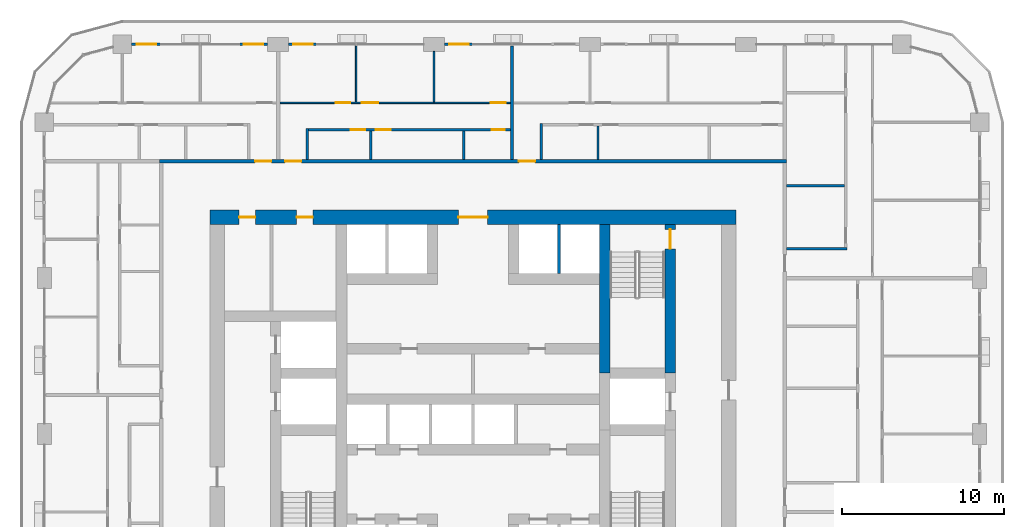
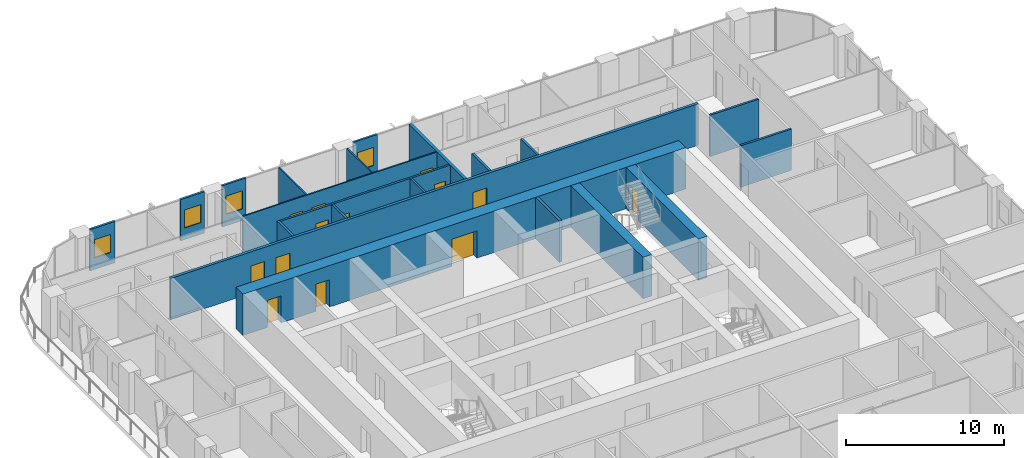
# One storey, part 14 of 22: 21 walls, 13 doors, 4 windows, 17 openings.
"""IFC4 building model written with IfcOpenShell, lengths in metres."""

from ifc_helpers import new_model, si_unit, direction, frame, frame_2d, origin, place, context, subcontext, project, spatial, rectangle, extrude, material, layer, layer_set, type_object, element, fill, save


model = new_model("IFC4")

# Units and contexts
model_context = context("Model", 3, precision=1e-05, world=origin(), true_north=direction((0.0, 1.0)))
body_context = subcontext(model_context, "Body", "Model", "MODEL_VIEW")
ifc_project = project(units=[si_unit("LENGTHUNIT", "METRE"), si_unit("AREAUNIT", "SQUARE_METRE"), si_unit("VOLUMEUNIT", "CUBIC_METRE"), si_unit("PLANEANGLEUNIT", "RADIAN"), si_unit("MASSUNIT", "GRAM", prefix="KILO")], contexts=[model_context])

# Site, building, storey
site_placement = place(None, origin())
site = spatial("IfcSite", under=ifc_project, at=site_placement, CompositionType="ELEMENT")
building_placement = place(site_placement, origin())
building = spatial("IfcBuilding", under=site, at=building_placement, Name="Madar Terraces", CompositionType="ELEMENT")
storey_placement = place(building_placement, frame((0.0, 0.0, 73.300048828125)))
storey = spatial("IfcBuildingStorey", under=building, at=storey_placement, Name="L18", CompositionType="ELEMENT", Elevation=73.300048828125)

# Wall
ifc_material_1 = material(Name="Concrete C80/95", Category="concrete")
ifc_layer_1 = layer(ifc_material_1, 0.64990234375)
ifc_layer_set_1 = layer_set([ifc_layer_1], Name="Concrete C80/95 (CIW2 RC wall 650)")
wall_type_1 = type_object("IfcWallType", Name="CIW2 RC wall 650", PredefinedType="SHEAR", material=ifc_layer_set_1)
wall_1_placement = place(storey_placement, frame((39.300048828125, 27.75, 0.0), z_axis=(0.0, 0.0, 1.0), x_axis=(0.0, 1.0, 0.0)))
element("IfcWall", 1, at=wall_1_placement, inside=storey, type_object=wall_type_1, Name="CORE SHAFT WALL", PredefinedType="SHEAR", context=body_context, shape_type="SweptSolid", body=[
    extrude(rectangle(XDim=9.14990234375, YDim=0.64990234375, at=frame_2d((4.574951171875, 0.0))), origin(), (0.0, 0.0, 1.0), 3.199951171875),
])

# Wall, opening, door
wall_2_placement = place(storey_placement, frame((43.35009765625, 27.75, 0.0), z_axis=(0.0, 0.0, 1.0), x_axis=(0.0, 1.0, 0.0)))
wall_2 = element("IfcWall", 2, at=wall_2_placement, inside=storey, type_object=wall_type_1, Name="CORE SHAFT WALL", PredefinedType="SHEAR", context=body_context, shape_type="SweptSolid", body=[
    extrude(rectangle(XDim=9.14990234375, YDim=0.64990234375, at=frame_2d((4.574951171875, 0.0))), origin(), (0.0, 0.0, 1.0), 3.199951171875),
])
opening_1_placement = place(wall_2_placement, frame((7.64990234375, 0.0, 0.0)))
opening_1 = element("IfcOpeningElement", 3, at=opening_1_placement, cuts=wall_2, Name="Opening SD1", PredefinedType="OPENING", context=body_context, shape_type="SweptSolid", body=[
    extrude(rectangle(XDim=1.199951171875, YDim=2.10009765625, at=frame_2d((0.60009765625, 1.050048828125))), frame((0.0, 0.3349609375, 0.0), z_axis=(0.0, -1.0, 0.0), x_axis=(1.0, 0.0, 0.0)), (0.0, 0.0, 1.0), 0.669921875),
])
ifc_material_2 = material(Name="Steel door leaf", Category="steel")
door_type_1 = type_object("IfcDoorType", Name="Stair door 1200 x 2100", OperationType="NOTDEFINED", PredefinedType="DOOR", material=ifc_material_2)
door_1_placement = place(opening_1_placement, origin())
door_1 = element("IfcDoor", 4, at=door_1_placement, inside=storey, type_object=door_type_1, Name="STAIR DOOR", OperationType="SINGLE_SWING_RIGHT", OverallHeight=2.10009765625, OverallWidth=1.199951171875, PredefinedType="DOOR", context=body_context, shape_type="SweptSolid", body=[
    extrude(rectangle(XDim=1.199951171875, YDim=2.10009765625, at=frame_2d((0.60009765625, 1.050048828125))), frame((0.0, 0.02490234375, 0.0), z_axis=(0.0, -1.0, 0.0), x_axis=(1.0, 0.0, 0.0)), (0.0, 0.0, 1.0), 0.050048828125),
])
fill(opening_1, door_1)

# Wall, openings, doors
ifc_material_3 = material(Name="Concrete C80/95", Category="concrete")
ifc_layer_2 = layer(ifc_material_3, 0.89990234375)
ifc_layer_set_2 = layer_set([ifc_layer_2], Name="Concrete C80/95 (CRW2 RC wall 900)")
wall_type_2 = type_object("IfcWallType", Name="CRW2 RC wall 900", PredefinedType="SHEAR", material=ifc_layer_set_2)
wall_3_placement = place(storey_placement, frame((15.0, 37.35009765625, 0.0), z_axis=(0.0, 0.0, 1.0), x_axis=(1.0, 0.0, 0.0)))
wall_3 = element("IfcWall", 5, at=wall_3_placement, inside=storey, type_object=wall_type_2, Name="CORE OUTER WALL", PredefinedType="SHEAR", context=body_context, shape_type="SweptSolid", body=[
    extrude(rectangle(XDim=32.39990234375, YDim=0.89990234375, at=frame_2d((16.199951171875, 0.0))), origin(), (0.0, 0.0, 1.0), 3.199951171875),
])
opening_2_placement = place(wall_3_placement, frame((15.300048828125, 0.0, 0.0)))
opening_2 = element("IfcOpeningElement", 6, at=opening_2_placement, cuts=wall_3, Name="Opening KD1", PredefinedType="OPENING", context=body_context, shape_type="SweptSolid", body=[
    extrude(rectangle(XDim=1.800048828125, YDim=2.10009765625, at=frame_2d((0.89990234375, 1.050048828125))), frame((0.0, 0.4599609375, 0.0), z_axis=(0.0, -1.0, 0.0), x_axis=(1.0, 0.0, 0.0)), (0.0, 0.0, 1.0), 0.919921875),
])
opening_3_placement = place(wall_3_placement, frame((1.793701171875, 0.0, 0.0)))
opening_3 = element("IfcOpeningElement", 7, at=opening_3_placement, cuts=wall_3, Name="Opening KD2", PredefinedType="OPENING", context=body_context, shape_type="SweptSolid", body=[
    extrude(rectangle(XDim=1.0, YDim=2.10009765625, at=frame_2d((0.5, 1.050048828125))), frame((0.0, 0.4599609375, 0.0), z_axis=(0.0, -1.0, 0.0), x_axis=(1.0, 0.0, 0.0)), (0.0, 0.0, 1.0), 0.919921875),
])
opening_4_placement = place(wall_3_placement, frame((5.331298828125, 0.0, 0.0)))
opening_4 = element("IfcOpeningElement", 8, at=opening_4_placement, cuts=wall_3, Name="Opening KD2", PredefinedType="OPENING", context=body_context, shape_type="SweptSolid", body=[
    extrude(rectangle(XDim=1.0, YDim=2.10009765625, at=frame_2d((0.5, 1.050048828125))), frame((0.0, 0.4599609375, 0.0), z_axis=(0.0, -1.0, 0.0), x_axis=(1.0, 0.0, 0.0)), (0.0, 0.0, 1.0), 0.919921875),
])
ifc_material_4 = material(Name="Steel door leaf", Category="steel")
door_type_2 = type_object("IfcDoorType", Name="Lobby door pair 1800 x 2100", OperationType="DOUBLE_DOOR_SINGLE_SWING", PredefinedType="DOOR", material=ifc_material_4)
door_2_placement = place(opening_2_placement, origin())
door_2 = element("IfcDoor", 9, at=door_2_placement, inside=storey, type_object=door_type_2, Name="LIFT LOBBY DOOR", OperationType="DOUBLE_DOOR_SINGLE_SWING", OverallHeight=2.10009765625, OverallWidth=1.800048828125, PredefinedType="DOOR", context=body_context, shape_type="SweptSolid", body=[
    extrude(rectangle(XDim=1.800048828125, YDim=2.10009765625, at=frame_2d((0.89990234375, 1.050048828125))), frame((0.0, 0.02490234375, 0.0), z_axis=(0.0, -1.0, 0.0), x_axis=(1.0, 0.0, 0.0)), (0.0, 0.0, 1.0), 0.050048828125),
])
fill(opening_2, door_2)
ifc_material_5 = material(Name="Steel door leaf", Category="steel")
door_type_3 = type_object("IfcDoorType", Name="Service room door 1000 x 2100", OperationType="NOTDEFINED", PredefinedType="DOOR", material=ifc_material_5)
door_3_placement = place(opening_3_placement, origin())
door_3 = element("IfcDoor", 10, at=door_3_placement, inside=storey, type_object=door_type_3, Name="SERVICE ROOM DOOR", OperationType="SINGLE_SWING_LEFT", OverallHeight=2.10009765625, OverallWidth=1.0, PredefinedType="DOOR", context=body_context, shape_type="SweptSolid", body=[
    extrude(rectangle(XDim=1.0, YDim=2.10009765625, at=frame_2d((0.5, 1.050048828125))), frame((0.0, 0.02490234375, 0.0), z_axis=(0.0, -1.0, 0.0), x_axis=(1.0, 0.0, 0.0)), (0.0, 0.0, 1.0), 0.050048828125),
])
fill(opening_3, door_3)
door_4_placement = place(opening_4_placement, origin())
door_4 = element("IfcDoor", 11, at=door_4_placement, inside=storey, type_object=door_type_3, Name="SERVICE ROOM DOOR", OperationType="SINGLE_SWING_RIGHT", OverallHeight=2.10009765625, OverallWidth=1.0, PredefinedType="DOOR", context=body_context, shape_type="SweptSolid", body=[
    extrude(rectangle(XDim=1.0, YDim=2.10009765625, at=frame_2d((0.5, 1.050048828125))), frame((0.0, 0.02490234375, 0.0), z_axis=(0.0, -1.0, 0.0), x_axis=(1.0, 0.0, 0.0)), (0.0, 0.0, 1.0), 0.050048828125),
])
fill(opening_4, door_4)

# Wall
ifc_material_6 = material(Name="Concrete C40/50", Category="concrete")
ifc_layer_3 = layer(ifc_material_6, 0.199951171875)
ifc_layer_set_3 = layer_set([ifc_layer_3], Name="Core shaft dividing wall 200 C40/50")
wall_type_3 = type_object("IfcWallType", Name="Core shaft dividing wall 200 C40/50", PredefinedType="SOLIDWALL", material=ifc_layer_set_3)
wall_4_placement = place(storey_placement, frame((36.5, 33.875, 0.0), z_axis=(0.0, 0.0, 1.0), x_axis=(0.0, 1.0, 0.0)))
element("IfcWall", 12, at=wall_4_placement, inside=storey, type_object=wall_type_3, Name="SHAFT DIVIDING WALL", PredefinedType="SOLIDWALL", context=body_context, shape_type="SweptSolid", body=[
    extrude(rectangle(XDim=3.02490234375, YDim=0.199951171875, at=frame_2d((1.512451171875, 0.0))), origin(), (0.0, 0.0, 1.0), 3.199951171875),
])

# Wall, opening, window
ifc_material_7 = material(Name="Aluminium composite panel, black, over insulated backing", Category="aluminium")
ifc_layer_4 = layer(ifc_material_7, 0.14990234375)
ifc_layer_set_4 = layer_set([ifc_layer_4], Name="Facade bay panel 150")
wall_type_4 = type_object("IfcWallType", Name="Facade bay panel 150", PredefinedType="SOLIDWALL", material=ifc_layer_set_4)
wall_5_placement = place(storey_placement, frame((31.199951171875, 48.0, 0.0), z_axis=(0.0, 0.0, 1.0), x_axis=(-1.0, 0.0, 0.0)))
wall_5 = element("IfcWall", 13, at=wall_5_placement, inside=storey, type_object=wall_type_4, Name="Facade bay panel", PredefinedType="SOLIDWALL", context=body_context, shape_type="SweptSolid", body=[
    extrude(rectangle(XDim=1.75, YDim=0.14990234375, at=frame_2d((0.875, 0.0))), origin(), (0.0, 0.0, 1.0), 3.199951171875),
])
opening_5_placement = place(wall_5_placement, frame((0.27490234375, 0.0, 0.89990234375)))
opening_5 = element("IfcOpeningElement", 14, at=opening_5_placement, cuts=wall_5, Name="Opening W1", PredefinedType="OPENING", context=body_context, shape_type="SweptSolid", body=[
    extrude(rectangle(XDim=1.199951171875, YDim=1.39990234375, at=frame_2d((0.60009765625, 0.699951171875))), frame((0.0, 0.0849609375, 0.0), z_axis=(0.0, -1.0, 0.0), x_axis=(1.0, 0.0, 0.0)), (0.0, 0.0, 1.0), 0.169921875),
])
ifc_material_8 = material(Name="Glass, clear, with black aluminium frame", Category="aluminium")
window_type = type_object("IfcWindowType", Name="Vent window 1200 x 1400", PartitioningType="SINGLE_PANEL", PredefinedType="WINDOW", material=ifc_material_8)
window_1_placement = place(opening_5_placement, origin())
window_1 = element("IfcWindow", 15, at=window_1_placement, inside=storey, type_object=window_type, Name="Operable vent window", OverallHeight=1.39990234375, OverallWidth=1.199951171875, PartitioningType="SINGLE_PANEL", PredefinedType="WINDOW", context=body_context, shape_type="SweptSolid", body=[
    extrude(rectangle(XDim=1.199951171875, YDim=1.39990234375, at=frame_2d((0.60009765625, 0.699951171875))), frame((0.0, 0.030029296875, 0.0), z_axis=(0.0, -1.0, 0.0), x_axis=(1.0, 0.0, 0.0)), (0.0, 0.0, 1.0), 0.06005859375),
])
fill(opening_5, window_1)

wall_6_placement = place(storey_placement, frame((21.60009765625, 48.0, 0.0), z_axis=(0.0, 0.0, 1.0), x_axis=(-1.0, 0.0, 0.0)))
wall_6 = element("IfcWall", 16, at=wall_6_placement, inside=storey, type_object=wall_type_4, Name="Facade bay panel", PredefinedType="SOLIDWALL", context=body_context, shape_type="SweptSolid", body=[
    extrude(rectangle(XDim=1.75, YDim=0.14990234375, at=frame_2d((0.875, 0.0))), origin(), (0.0, 0.0, 1.0), 3.199951171875),
])
opening_6_placement = place(wall_6_placement, frame((0.27490234375, 0.0, 0.89990234375)))
opening_6 = element("IfcOpeningElement", 17, at=opening_6_placement, cuts=wall_6, Name="Opening W1", PredefinedType="OPENING", context=body_context, shape_type="SweptSolid", body=[
    extrude(rectangle(XDim=1.199951171875, YDim=1.39990234375, at=frame_2d((0.60009765625, 0.699951171875))), frame((0.0, 0.0849609375, 0.0), z_axis=(0.0, -1.0, 0.0), x_axis=(1.0, 0.0, 0.0)), (0.0, 0.0, 1.0), 0.169921875),
])
window_2_placement = place(opening_6_placement, origin())
window_2 = element("IfcWindow", 18, at=window_2_placement, inside=storey, type_object=window_type, Name="Operable vent window", OverallHeight=1.39990234375, OverallWidth=1.199951171875, PartitioningType="SINGLE_PANEL", PredefinedType="WINDOW", context=body_context, shape_type="SweptSolid", body=[
    extrude(rectangle(XDim=1.199951171875, YDim=1.39990234375, at=frame_2d((0.60009765625, 0.699951171875))), frame((0.0, 0.030029296875, 0.0), z_axis=(0.0, -1.0, 0.0), x_axis=(1.0, 0.0, 0.0)), (0.0, 0.0, 1.0), 0.06005859375),
])
fill(opening_6, window_2)

wall_7_placement = place(storey_placement, frame((18.550048828125, 48.0, 0.0), z_axis=(0.0, 0.0, 1.0), x_axis=(-1.0, 0.0, 0.0)))
wall_7 = element("IfcWall", 19, at=wall_7_placement, inside=storey, type_object=wall_type_4, Name="Facade bay panel", PredefinedType="SOLIDWALL", context=body_context, shape_type="SweptSolid", body=[
    extrude(rectangle(XDim=1.75, YDim=0.14990234375, at=frame_2d((0.875, 0.0))), origin(), (0.0, 0.0, 1.0), 3.199951171875),
])
opening_7_placement = place(wall_7_placement, frame((0.27490234375, 0.0, 0.89990234375)))
opening_7 = element("IfcOpeningElement", 20, at=opening_7_placement, cuts=wall_7, Name="Opening W1", PredefinedType="OPENING", context=body_context, shape_type="SweptSolid", body=[
    extrude(rectangle(XDim=1.199951171875, YDim=1.39990234375, at=frame_2d((0.60009765625, 0.699951171875))), frame((0.0, 0.0849609375, 0.0), z_axis=(0.0, -1.0, 0.0), x_axis=(1.0, 0.0, 0.0)), (0.0, 0.0, 1.0), 0.169921875),
])
window_3_placement = place(opening_7_placement, origin())
window_3 = element("IfcWindow", 21, at=window_3_placement, inside=storey, type_object=window_type, Name="Operable vent window", OverallHeight=1.39990234375, OverallWidth=1.199951171875, PartitioningType="SINGLE_PANEL", PredefinedType="WINDOW", context=body_context, shape_type="SweptSolid", body=[
    extrude(rectangle(XDim=1.199951171875, YDim=1.39990234375, at=frame_2d((0.60009765625, 0.699951171875))), frame((0.0, 0.030029296875, 0.0), z_axis=(0.0, -1.0, 0.0), x_axis=(1.0, 0.0, 0.0)), (0.0, 0.0, 1.0), 0.06005859375),
])
fill(opening_7, window_3)

wall_8_placement = place(storey_placement, frame((12.0, 48.0, 0.0), z_axis=(0.0, 0.0, 1.0), x_axis=(-1.0, 0.0, 0.0)))
wall_8 = element("IfcWall", 22, at=wall_8_placement, inside=storey, type_object=wall_type_4, Name="Facade bay panel", PredefinedType="SOLIDWALL", context=body_context, shape_type="SweptSolid", body=[
    extrude(rectangle(XDim=1.824951171875, YDim=0.14990234375, at=frame_2d((0.91259765625, 0.0))), origin(), (0.0, 0.0, 1.0), 3.199951171875),
])
opening_8_placement = place(wall_8_placement, frame((0.3125, 0.0, 0.89990234375)))
opening_8 = element("IfcOpeningElement", 23, at=opening_8_placement, cuts=wall_8, Name="Opening W1", PredefinedType="OPENING", context=body_context, shape_type="SweptSolid", body=[
    extrude(rectangle(XDim=1.199951171875, YDim=1.39990234375, at=frame_2d((0.60009765625, 0.699951171875))), frame((0.0, 0.0849609375, 0.0), z_axis=(0.0, -1.0, 0.0), x_axis=(1.0, 0.0, 0.0)), (0.0, 0.0, 1.0), 0.169921875),
])
window_4_placement = place(opening_8_placement, origin())
window_4 = element("IfcWindow", 24, at=window_4_placement, inside=storey, type_object=window_type, Name="Operable vent window", OverallHeight=1.39990234375, OverallWidth=1.199951171875, PartitioningType="SINGLE_PANEL", PredefinedType="WINDOW", context=body_context, shape_type="SweptSolid", body=[
    extrude(rectangle(XDim=1.199951171875, YDim=1.39990234375, at=frame_2d((0.60009765625, 0.699951171875))), frame((0.0, 0.030029296875, 0.0), z_axis=(0.0, -1.0, 0.0), x_axis=(1.0, 0.0, 0.0)), (0.0, 0.0, 1.0), 0.06005859375),
])
fill(opening_8, window_4)

# Walls
ifc_material_9 = material(Name="Gypsum board on steel studs", Category="steel")
ifc_layer_5 = layer(ifc_material_9, 0.10009765625)
ifc_layer_set_5 = layer_set([ifc_layer_5], Name="Flat partition 100")
wall_type_5 = type_object("IfcWallType", Name="Flat partition 100", PredefinedType="PARTITIONING", material=ifc_layer_set_5)
wall_9_placement = place(storey_placement, frame((24.0, 44.449951171875, 0.0), z_axis=(0.0, 0.0, 1.0), x_axis=(0.0, 1.0, 0.0)))
element("IfcWall", 25, at=wall_9_placement, inside=storey, type_object=wall_type_5, Name="Flat partition 100", PredefinedType="PARTITIONING", context=body_context, shape_type="SweptSolid", body=[
    extrude(rectangle(XDim=3.449951171875, YDim=0.10009765625, at=frame_2d((1.72509765625, 0.0))), origin(), (0.0, 0.0, 1.0), 3.199951171875),
])
wall_10_placement = place(storey_placement, frame((28.800048828125, 44.449951171875, 0.0), z_axis=(0.0, 0.0, 1.0), x_axis=(0.0, 1.0, 0.0)))
element("IfcWall", 26, at=wall_10_placement, inside=storey, type_object=wall_type_5, Name="Flat partition 100", PredefinedType="PARTITIONING", context=body_context, shape_type="SweptSolid", body=[
    extrude(rectangle(XDim=3.125, YDim=0.10009765625, at=frame_2d((1.5625, 0.0))), origin(), (0.0, 0.0, 1.0), 3.199951171875),
])

# Wall, openings, doors
wall_11_placement = place(storey_placement, frame((19.300048828125, 44.39990234375, 0.0), z_axis=(0.0, 0.0, 1.0), x_axis=(1.0, 0.0, 0.0)))
wall_11 = element("IfcWall", 27, at=wall_11_placement, inside=storey, type_object=wall_type_5, Name="Flat partition 100", PredefinedType="PARTITIONING", context=body_context, shape_type="SweptSolid", body=[
    extrude(rectangle(XDim=14.199951171875, YDim=0.10009765625, at=frame_2d((7.10009765625, 0.0))), origin(), (0.0, 0.0, 1.0), 3.199951171875),
])
opening_9_placement = place(wall_11_placement, frame((3.449951171875, 0.0, 0.0)))
opening_9 = element("IfcOpeningElement", 28, at=opening_9_placement, cuts=wall_11, Name="Opening D2", PredefinedType="OPENING", context=body_context, shape_type="SweptSolid", body=[
    extrude(rectangle(XDim=0.89990234375, YDim=2.10009765625, at=frame_2d((0.449951171875, 1.050048828125))), frame((0.0, 0.06005859375, 0.0), z_axis=(0.0, -1.0, 0.0), x_axis=(1.0, 0.0, 0.0)), (0.0, 0.0, 1.0), 0.1201171875),
])
opening_10_placement = place(wall_11_placement, frame((5.050048828125, 0.0, 0.0)))
opening_10 = element("IfcOpeningElement", 29, at=opening_10_placement, cuts=wall_11, Name="Opening D3", PredefinedType="OPENING", context=body_context, shape_type="SweptSolid", body=[
    extrude(rectangle(XDim=1.0, YDim=2.10009765625, at=frame_2d((0.5, 1.050048828125))), frame((0.0, 0.06005859375, 0.0), z_axis=(0.0, -1.0, 0.0), x_axis=(1.0, 0.0, 0.0)), (0.0, 0.0, 1.0), 0.1201171875),
])
opening_11_placement = place(wall_11_placement, frame((13.0, 0.0, 0.0)))
opening_11 = element("IfcOpeningElement", 30, at=opening_11_placement, cuts=wall_11, Name="Opening D2", PredefinedType="OPENING", context=body_context, shape_type="SweptSolid", body=[
    extrude(rectangle(XDim=0.89990234375, YDim=2.10009765625, at=frame_2d((0.449951171875, 1.050048828125))), frame((0.0, 0.06005859375, 0.0), z_axis=(0.0, -1.0, 0.0), x_axis=(1.0, 0.0, 0.0)), (0.0, 0.0, 1.0), 0.1201171875),
])
ifc_material_10 = material(Name="Timber door leaf", Category="wood")
door_type_4 = type_object("IfcDoorType", Name="Flat living room door 1000", OperationType="NOTDEFINED", PredefinedType="DOOR", material=ifc_material_10)
door_5_placement = place(opening_10_placement, origin())
door_5 = element("IfcDoor", 31, at=door_5_placement, inside=storey, type_object=door_type_4, Name="Flat living room door 1000", OperationType="SINGLE_SWING_LEFT", OverallHeight=2.10009765625, OverallWidth=1.0, PredefinedType="DOOR", context=body_context, shape_type="SweptSolid", body=[
    extrude(rectangle(XDim=1.0, YDim=2.10009765625, at=frame_2d((0.5, 1.050048828125))), frame((0.0, 0.02490234375, 0.0), z_axis=(0.0, -1.0, 0.0), x_axis=(1.0, 0.0, 0.0)), (0.0, 0.0, 1.0), 0.050048828125),
])
fill(opening_10, door_5)
ifc_material_11 = material(Name="Timber door leaf", Category="wood")
door_type_5 = type_object("IfcDoorType", Name="Flat room door 900", OperationType="NOTDEFINED", PredefinedType="DOOR", material=ifc_material_11)
door_6_placement = place(opening_9_placement, origin())
door_6 = element("IfcDoor", 32, at=door_6_placement, inside=storey, type_object=door_type_5, Name="Flat room door 900", OperationType="SINGLE_SWING_RIGHT", OverallHeight=2.10009765625, OverallWidth=0.89990234375, PredefinedType="DOOR", context=body_context, shape_type="SweptSolid", body=[
    extrude(rectangle(XDim=0.89990234375, YDim=2.10009765625, at=frame_2d((0.449951171875, 1.050048828125))), frame((0.0, 0.02490234375, 0.0), z_axis=(0.0, -1.0, 0.0), x_axis=(1.0, 0.0, 0.0)), (0.0, 0.0, 1.0), 0.050048828125),
])
fill(opening_9, door_6)
door_7_placement = place(opening_11_placement, origin())
door_7 = element("IfcDoor", 33, at=door_7_placement, inside=storey, type_object=door_type_5, Name="Flat room door 900", OperationType="SINGLE_SWING_RIGHT", OverallHeight=2.10009765625, OverallWidth=0.89990234375, PredefinedType="DOOR", context=body_context, shape_type="SweptSolid", body=[
    extrude(rectangle(XDim=0.89990234375, YDim=2.10009765625, at=frame_2d((0.449951171875, 1.050048828125))), frame((0.0, 0.02490234375, 0.0), z_axis=(0.0, -1.0, 0.0), x_axis=(1.0, 0.0, 0.0)), (0.0, 0.0, 1.0), 0.050048828125),
])
fill(opening_11, door_7)

ifc_material_12 = material(Name="Lightweight blockwork", Category="masonry")
ifc_layer_6 = layer(ifc_material_12, 0.199951171875)
ifc_layer_set_6 = layer_set([ifc_layer_6], Name="Flat party and entrance wall 200")
wall_type_6 = type_object("IfcWallType", Name="Flat party and entrance wall 200", PredefinedType="PARTITIONING", material=ifc_layer_set_6)
wall_12_placement = place(storey_placement, frame((11.89990234375, 40.800048828125, 0.0), z_axis=(0.0, 0.0, 1.0), x_axis=(1.0, 0.0, 0.0)))
wall_12 = element("IfcWall", 34, at=wall_12_placement, inside=storey, type_object=wall_type_6, Name="Flat party and entrance wall 200", PredefinedType="PARTITIONING", context=body_context, shape_type="SweptSolid", body=[
    extrude(rectangle(XDim=38.60009765625, YDim=0.199951171875, at=frame_2d((19.300048828125, 0.0))), origin(), (0.0, 0.0, 1.0), 3.199951171875),
])
opening_12_placement = place(wall_12_placement, frame((22.125, 0.0, 0.0)))
opening_12 = element("IfcOpeningElement", 35, at=opening_12_placement, cuts=wall_12, Name="Opening D1", PredefinedType="OPENING", context=body_context, shape_type="SweptSolid", body=[
    extrude(rectangle(XDim=1.0, YDim=2.10009765625, at=frame_2d((0.5, 1.050048828125))), frame((0.0, 0.10986328125, 0.0), z_axis=(0.0, -1.0, 0.0), x_axis=(1.0, 0.0, 0.0)), (0.0, 0.0, 1.0), 0.219970703125),
])
opening_13_placement = place(wall_12_placement, frame((7.72509765625, 0.0, 0.0)))
opening_13 = element("IfcOpeningElement", 36, at=opening_13_placement, cuts=wall_12, Name="Opening D1", PredefinedType="OPENING", context=body_context, shape_type="SweptSolid", body=[
    extrude(rectangle(XDim=1.0, YDim=2.10009765625, at=frame_2d((0.5, 1.050048828125))), frame((0.0, 0.10986328125, 0.0), z_axis=(0.0, -1.0, 0.0), x_axis=(1.0, 0.0, 0.0)), (0.0, 0.0, 1.0), 0.219970703125),
])
opening_14_placement = place(wall_12_placement, frame((5.875, 0.0, 0.0)))
opening_14 = element("IfcOpeningElement", 37, at=opening_14_placement, cuts=wall_12, Name="Opening D1", PredefinedType="OPENING", context=body_context, shape_type="SweptSolid", body=[
    extrude(rectangle(XDim=1.0, YDim=2.10009765625, at=frame_2d((0.5, 1.050048828125))), frame((0.0, 0.10986328125, 0.0), z_axis=(0.0, -1.0, 0.0), x_axis=(1.0, 0.0, 0.0)), (0.0, 0.0, 1.0), 0.219970703125),
])
ifc_material_13 = material(Name="Timber fire door leaf", Category="wood")
door_type_6 = type_object("IfcDoorType", Name="Flat entrance door 1000 FD30S", OperationType="NOTDEFINED", PredefinedType="DOOR", material=ifc_material_13)
door_8_placement = place(opening_12_placement, origin())
door_8 = element("IfcDoor", 38, at=door_8_placement, inside=storey, type_object=door_type_6, Name="Flat entrance door 1000 FD30S", OperationType="SINGLE_SWING_LEFT", OverallHeight=2.10009765625, OverallWidth=1.0, PredefinedType="DOOR", context=body_context, shape_type="SweptSolid", body=[
    extrude(rectangle(XDim=1.0, YDim=2.10009765625, at=frame_2d((0.5, 1.050048828125))), frame((0.0, 0.02490234375, 0.0), z_axis=(0.0, -1.0, 0.0), x_axis=(1.0, 0.0, 0.0)), (0.0, 0.0, 1.0), 0.050048828125),
])
fill(opening_12, door_8)
door_9_placement = place(opening_13_placement, origin())
door_9 = element("IfcDoor", 39, at=door_9_placement, inside=storey, type_object=door_type_6, Name="Flat entrance door 1000 FD30S", OperationType="SINGLE_SWING_LEFT", OverallHeight=2.10009765625, OverallWidth=1.0, PredefinedType="DOOR", context=body_context, shape_type="SweptSolid", body=[
    extrude(rectangle(XDim=1.0, YDim=2.10009765625, at=frame_2d((0.5, 1.050048828125))), frame((0.0, 0.02490234375, 0.0), z_axis=(0.0, -1.0, 0.0), x_axis=(1.0, 0.0, 0.0)), (0.0, 0.0, 1.0), 0.050048828125),
])
fill(opening_13, door_9)
door_10_placement = place(opening_14_placement, origin())
door_10 = element("IfcDoor", 40, at=door_10_placement, inside=storey, type_object=door_type_6, Name="Flat entrance door 1000 FD30S", OperationType="SINGLE_SWING_RIGHT", OverallHeight=2.10009765625, OverallWidth=1.0, PredefinedType="DOOR", context=body_context, shape_type="SweptSolid", body=[
    extrude(rectangle(XDim=1.0, YDim=2.10009765625, at=frame_2d((0.5, 1.050048828125))), frame((0.0, 0.02490234375, 0.0), z_axis=(0.0, -1.0, 0.0), x_axis=(1.0, 0.0, 0.0)), (0.0, 0.0, 1.0), 0.050048828125),
])
fill(opening_14, door_10)

# Walls
wall_13_placement = place(storey_placement, frame((33.60009765625, 47.89990234375, 0.0), z_axis=(0.0, 0.0, 1.0), x_axis=(0.0, -1.0, 0.0)))
element("IfcWall", 41, at=wall_13_placement, inside=storey, type_object=wall_type_6, Name="Flat party and entrance wall 200", PredefinedType="PARTITIONING", context=body_context, shape_type="SweptSolid", body=[
    extrude(rectangle(XDim=7.0, YDim=0.199951171875, at=frame_2d((3.5, 0.0))), origin(), (0.0, 0.0, 1.0), 3.199951171875),
])
ifc_material_14 = material(Name="Lightweight blockwork", Category="masonry")
ifc_layer_7 = layer(ifc_material_14, 0.14990234375)
ifc_layer_set_7 = layer_set([ifc_layer_7], Name="Flat wet-room partition 150")
wall_type_7 = type_object("IfcWallType", Name="Flat wet-room partition 150", PredefinedType="PARTITIONING", material=ifc_layer_set_7)
wall_14_placement = place(storey_placement, frame((50.5, 39.298095703125, 0.0), z_axis=(0.0, 0.0, 1.0), x_axis=(1.0, 0.0, 0.0)))
element("IfcWall", 42, at=wall_14_placement, inside=storey, type_object=wall_type_7, Name="Flat wet-room partition 150", PredefinedType="PARTITIONING", context=body_context, shape_type="SweptSolid", body=[
    extrude(rectangle(XDim=3.574951171875, YDim=0.14990234375, at=frame_2d((1.78759765625, 0.0))), origin(), (0.0, 0.0, 1.0), 3.199951171875),
])
wall_15_placement = place(storey_placement, frame((50.5, 35.39990234375, 0.0), z_axis=(0.0, 0.0, 1.0), x_axis=(1.0, 0.0, 0.0)))
element("IfcWall", 43, at=wall_15_placement, inside=storey, type_object=wall_type_7, Name="Flat wet-room partition 150", PredefinedType="PARTITIONING", context=body_context, shape_type="SweptSolid", body=[
    extrude(rectangle(XDim=3.72509765625, YDim=0.14990234375, at=frame_2d((1.862548828125, 0.0))), origin(), (0.0, 0.0, 1.0), 3.199951171875),
])
wall_16_placement = place(storey_placement, frame((38.896240234375, 40.89990234375, 0.0), z_axis=(0.0, 0.0, 1.0), x_axis=(0.0, 1.0, 0.0)))
element("IfcWall", 44, at=wall_16_placement, inside=storey, type_object=wall_type_7, Name="Flat wet-room partition 150", PredefinedType="PARTITIONING", context=body_context, shape_type="SweptSolid", body=[
    extrude(rectangle(XDim=2.0751953125, YDim=0.14990234375, at=frame_2d((1.03759765625, 0.0))), origin(), (0.0, 0.0, 1.0), 3.199951171875),
])
wall_17_placement = place(storey_placement, frame((35.39990234375, 40.89990234375, 0.0), z_axis=(0.0, 0.0, 1.0), x_axis=(0.0, 1.0, 0.0)))
element("IfcWall", 45, at=wall_17_placement, inside=storey, type_object=wall_type_7, Name="Flat wet-room partition 150", PredefinedType="PARTITIONING", context=body_context, shape_type="SweptSolid", body=[
    extrude(rectangle(XDim=2.22509765625, YDim=0.14990234375, at=frame_2d((1.112548828125, 0.0))), origin(), (0.0, 0.0, 1.0), 3.199951171875),
])
for number, where, z_axis, x_axis, name in (
    (46, (24.898193359375, 40.89990234375, 0.0), (0.0, 0.0, 1.0), (0.0, 1.0, 0.0), "Flat wet-room partition 150"),
    (47, (30.6328125, 40.89990234375, 0.0), (0.0, 0.0, 1.0), (0.0, 1.0, 0.0), "Flat wet-room partition 150"),
):
    element("IfcWall", number, at=place(storey_placement, frame(where, z_axis=z_axis, x_axis=x_axis)), inside=storey, type_object=wall_type_7, Name=name, PredefinedType="PARTITIONING", context=body_context, shape_type="SweptSolid", body=[
        extrude(rectangle(XDim=1.775146484375, YDim=0.14990234375, at=frame_2d((0.8876953125, 0.0))), origin(), (0.0, 0.0, 1.0), 3.199951171875),
    ])
wall_18_placement = place(storey_placement, frame((21.0, 40.89990234375, 0.0), z_axis=(0.0, 0.0, 1.0), x_axis=(0.0, 1.0, 0.0)))
element("IfcWall", 48, at=wall_18_placement, inside=storey, type_object=wall_type_7, Name="Flat wet-room partition 150", PredefinedType="PARTITIONING", context=body_context, shape_type="SweptSolid", body=[
    extrude(rectangle(XDim=1.925048828125, YDim=0.14990234375, at=frame_2d((0.96240234375, 0.0))), origin(), (0.0, 0.0, 1.0), 3.199951171875),
])

# Wall, openings, doors
wall_19_placement = place(storey_placement, frame((33.5, 42.75, 0.0), z_axis=(0.0, 0.0, 1.0), x_axis=(-1.0, 0.0, 0.0)))
wall_19 = element("IfcWall", 49, at=wall_19_placement, inside=storey, type_object=wall_type_7, Name="Flat wet-room partition 150", PredefinedType="PARTITIONING", context=body_context, shape_type="SweptSolid", body=[
    extrude(rectangle(XDim=12.425048828125, YDim=0.14990234375, at=frame_2d((6.21240234375, 0.0))), origin(), (0.0, 0.0, 1.0), 3.199951171875),
])
opening_15_placement = place(wall_19_placement, frame((8.927001953125, 0.0, 0.0)))
opening_15 = element("IfcOpeningElement", 50, at=opening_15_placement, cuts=wall_19, Name="Opening D5", PredefinedType="OPENING", context=body_context, shape_type="SweptSolid", body=[
    extrude(rectangle(XDim=0.89990234375, YDim=2.10009765625, at=frame_2d((0.449951171875, 1.050048828125))), frame((0.0, 0.0849609375, 0.0), z_axis=(0.0, -1.0, 0.0), x_axis=(1.0, 0.0, 0.0)), (0.0, 0.0, 1.0), 0.169921875),
])
opening_16_placement = place(wall_19_placement, frame((7.376953125, 0.0, 0.0)))
opening_16 = element("IfcOpeningElement", 51, at=opening_16_placement, cuts=wall_19, Name="Opening D2", PredefinedType="OPENING", context=body_context, shape_type="SweptSolid", body=[
    extrude(rectangle(XDim=0.89990234375, YDim=2.10009765625, at=frame_2d((0.449951171875, 1.050048828125))), frame((0.0, 0.0849609375, 0.0), z_axis=(0.0, -1.0, 0.0), x_axis=(1.0, 0.0, 0.0)), (0.0, 0.0, 1.0), 0.169921875),
])
opening_17_placement = place(wall_19_placement, frame((0.35009765625, 0.0, 0.0)))
opening_17 = element("IfcOpeningElement", 52, at=opening_17_placement, cuts=wall_19, Name="Opening D4", PredefinedType="OPENING", context=body_context, shape_type="SweptSolid", body=[
    extrude(rectangle(XDim=0.800048828125, YDim=2.10009765625, at=frame_2d((0.39990234375, 1.050048828125))), frame((0.0, 0.0849609375, 0.0), z_axis=(0.0, -1.0, 0.0), x_axis=(1.0, 0.0, 0.0)), (0.0, 0.0, 1.0), 0.169921875),
])
ifc_material_15 = material(Name="Timber door leaf", Category="wood")
door_type_7 = type_object("IfcDoorType", Name="Flat accessible bathroom door 900", OperationType="NOTDEFINED", PredefinedType="DOOR", material=ifc_material_15)
door_11_placement = place(opening_15_placement, origin())
door_11 = element("IfcDoor", 53, at=door_11_placement, inside=storey, type_object=door_type_7, Name="Flat accessible bathroom door 900", OperationType="SINGLE_SWING_LEFT", OverallHeight=2.10009765625, OverallWidth=0.89990234375, PredefinedType="DOOR", context=body_context, shape_type="SweptSolid", body=[
    extrude(rectangle(XDim=0.89990234375, YDim=2.10009765625, at=frame_2d((0.449951171875, 1.050048828125))), frame((0.0, 0.02490234375, 0.0), z_axis=(0.0, -1.0, 0.0), x_axis=(1.0, 0.0, 0.0)), (0.0, 0.0, 1.0), 0.050048828125),
])
fill(opening_15, door_11)
ifc_material_16 = material(Name="Timber door leaf", Category="wood")
door_type_8 = type_object("IfcDoorType", Name="Flat bathroom door 800", OperationType="NOTDEFINED", PredefinedType="DOOR", material=ifc_material_16)
door_12_placement = place(opening_17_placement, origin())
door_12 = element("IfcDoor", 54, at=door_12_placement, inside=storey, type_object=door_type_8, Name="Flat bathroom door 800", OperationType="SINGLE_SWING_LEFT", OverallHeight=2.10009765625, OverallWidth=0.800048828125, PredefinedType="DOOR", context=body_context, shape_type="SweptSolid", body=[
    extrude(rectangle(XDim=0.800048828125, YDim=2.10009765625, at=frame_2d((0.39990234375, 1.050048828125))), frame((0.0, 0.02490234375, 0.0), z_axis=(0.0, -1.0, 0.0), x_axis=(1.0, 0.0, 0.0)), (0.0, 0.0, 1.0), 0.050048828125),
])
fill(opening_17, door_12)
door_13_placement = place(opening_16_placement, origin())
door_13 = element("IfcDoor", 55, at=door_13_placement, inside=storey, type_object=door_type_5, Name="Flat room door 900", OperationType="SINGLE_SWING_RIGHT", OverallHeight=2.10009765625, OverallWidth=0.89990234375, PredefinedType="DOOR", context=body_context, shape_type="SweptSolid", body=[
    extrude(rectangle(XDim=0.89990234375, YDim=2.10009765625, at=frame_2d((0.449951171875, 1.050048828125))), frame((0.0, 0.02490234375, 0.0), z_axis=(0.0, -1.0, 0.0), x_axis=(1.0, 0.0, 0.0)), (0.0, 0.0, 1.0), 0.050048828125),
])
fill(opening_16, door_13)

save(model, "model.ifc")
